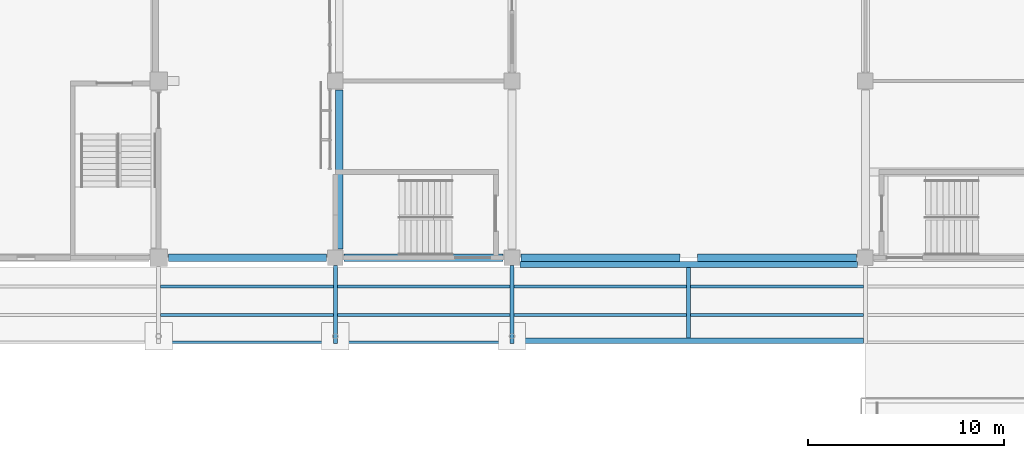
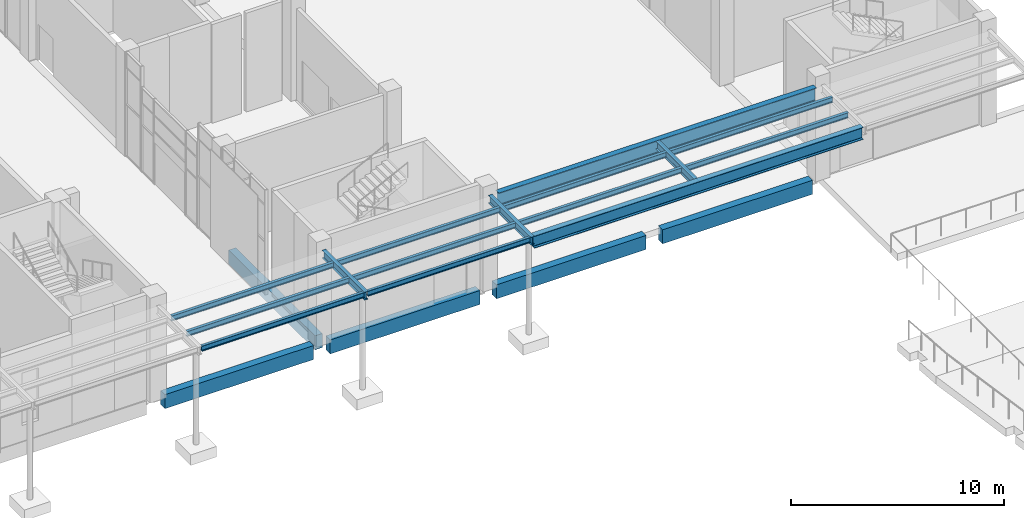
# One storey, part 14 of 86: 20 beams.
"""IFC4 building model written with IfcOpenShell, lengths in metres."""

from ifc_helpers import new_model, si_unit, direction, frame, origin, origin_2d, place, context, subcontext, project, spatial, rectangle, i_section, extrude, material, material_profile, profile_set, type_object, element, save


model = new_model("IFC4")

# Units and contexts
model_context = context("Model", 3, precision=1e-05, world=origin(), true_north=direction((0.0, 1.0)))
body_context = subcontext(model_context, "Body", "Model", "MODEL_VIEW")
ifc_project = project(units=[si_unit("LENGTHUNIT", "METRE"), si_unit("AREAUNIT", "SQUARE_METRE"), si_unit("VOLUMEUNIT", "CUBIC_METRE"), si_unit("PLANEANGLEUNIT", "RADIAN"), si_unit("MASSUNIT", "GRAM", prefix="KILO")], contexts=[model_context])

# Site, building, storey
site_placement = place(None, origin())
site = spatial("IfcSite", under=ifc_project, at=site_placement, CompositionType="ELEMENT")
building_placement = place(site_placement, origin())
building = spatial("IfcBuilding", under=site, at=building_placement, Name="Guidao Yard Department Store", CompositionType="ELEMENT")
storey_placement = place(building_placement, origin())
storey = spatial("IfcBuildingStorey", under=building, at=storey_placement, Name="L00", CompositionType="ELEMENT", Elevation=0.0)

# Beams
ifc_material_1 = material(Name="Steel Q355B", Category="steel")
ifc_material_profile_1 = material_profile(ifc_material_1, i_section(OverallWidth=0.14990234375, OverallDepth=0.300048828125, WebThickness=0.006591796875, FlangeThickness=0.009033203125, FilletRadius=0.012939453125, at=origin_2d()), Name="HN 300x150x6.5x9")
ifc_profile_set_1 = profile_set([ifc_material_profile_1], Name="Steel Q355B")
beam_type_1 = type_object("IfcBeamType", Name="Canopy beam HN 300x150x6.5x9", PredefinedType="BEAM", material=ifc_profile_set_1)
beam_1_placement = place(storey_placement, frame((63.10009765625, 40.695068359375, 5.300048828125), z_axis=(1.0, 0.0, 0.0), x_axis=(0.0, 1.0, 0.0)))
element("IfcBeam", 1, at=beam_1_placement, inside=storey, type_object=beam_type_1, Name="Canopy edge beam EC-7", PredefinedType="BEAM", context=body_context, shape_type="SweptSolid", body=[
    extrude(i_section(OverallWidth=0.14990234375, OverallDepth=0.300048828125, WebThickness=0.006591796875, FlangeThickness=0.009033203125, FilletRadius=0.012939453125, at=origin_2d()), origin(), (0.0, 0.0, 1.0), 8.7998046875),
])
for number, where, z_axis, x_axis, name in (
    (2, (63.10009765625, 43.5400390625, 5.300048828125), (1.0, 0.0, 0.0), (0.0, 1.0, 0.0), "Canopy joist EC-7.1"),
    (3, (63.10009765625, 42.080078125, 5.300048828125), (1.0, 0.0, 0.0), (0.0, 1.0, 0.0), "Canopy joist EC-7.2"),
):
    element("IfcBeam", number, at=place(storey_placement, frame(where, z_axis=z_axis, x_axis=x_axis)), inside=storey, type_object=beam_type_1, Name=name, PredefinedType="JOIST", context=body_context, shape_type="SweptSolid", body=[
        extrude(i_section(OverallWidth=0.14990234375, OverallDepth=0.300048828125, WebThickness=0.006591796875, FlangeThickness=0.009033203125, FilletRadius=0.012939453125, at=origin_2d()), origin(), (0.0, 0.0, 1.0), 8.7998046875),
    ])
beam_2_placement = place(storey_placement, frame((72.10009765625, 40.695068359375, 5.300048828125), z_axis=(1.0, 0.0, 0.0), x_axis=(0.0, 1.0, 0.0)))
element("IfcBeam", 4, at=beam_2_placement, inside=storey, type_object=beam_type_1, Name="Canopy edge beam EC-8", PredefinedType="BEAM", context=body_context, shape_type="SweptSolid", body=[
    extrude(i_section(OverallWidth=0.14990234375, OverallDepth=0.300048828125, WebThickness=0.006591796875, FlangeThickness=0.009033203125, FilletRadius=0.012939453125, at=origin_2d()), origin(), (0.0, 0.0, 1.0), 8.7998046875),
])
for number, where, z_axis, x_axis, name in (
    (5, (72.10009765625, 43.5400390625, 5.300048828125), (1.0, 0.0, 0.0), (0.0, 1.0, 0.0), "Canopy joist EC-8.1"),
    (6, (72.10009765625, 42.080078125, 5.300048828125), (1.0, 0.0, 0.0), (0.0, 1.0, 0.0), "Canopy joist EC-8.2"),
    (7, (81.10009765625, 43.5400390625, 5.300048828125), (1.0, 0.0, 0.0), (0.0, 1.0, 0.0), "Canopy joist EC-9.1"),
    (8, (81.10009765625, 42.080078125, 5.300048828125), (1.0, 0.0, 0.0), (0.0, 1.0, 0.0), "Canopy joist EC-9.2"),
    (9, (90.10009765625, 43.5400390625, 5.300048828125), (1.0, 0.0, 0.0), (0.0, 1.0, 0.0), "Canopy joist EC-10.1"),
    (10, (90.10009765625, 42.080078125, 5.300048828125), (1.0, 0.0, 0.0), (0.0, 1.0, 0.0), "Canopy joist EC-10.2"),
):
    element("IfcBeam", number, at=place(storey_placement, frame(where, z_axis=z_axis, x_axis=x_axis)), inside=storey, type_object=beam_type_1, Name=name, PredefinedType="JOIST", context=body_context, shape_type="SweptSolid", body=[
        extrude(i_section(OverallWidth=0.14990234375, OverallDepth=0.300048828125, WebThickness=0.006591796875, FlangeThickness=0.009033203125, FilletRadius=0.012939453125, at=origin_2d()), origin(), (0.0, 0.0, 1.0), 8.7998046875),
    ])
ifc_material_2 = material(Name="Steel Q355B", Category="steel")
ifc_material_profile_2 = material_profile(ifc_material_2, i_section(OverallWidth=0.300048828125, OverallDepth=0.699951171875, WebThickness=0.012939453125, FlangeThickness=0.02392578125, FilletRadius=0.01806640625, at=origin_2d()), Name="HN 700x300x13x24")
ifc_profile_set_2 = profile_set([ifc_material_profile_2], Name="Steel Q355B")
beam_type_2 = type_object("IfcBeamType", Name="Canopy fascia girder HN 700x300x13x24", PredefinedType="BEAM", material=ifc_profile_set_2)
beam_3_placement = place(storey_placement, frame((81.10009765625, 40.77001953125, 5.10009765625), z_axis=(1.0, 0.0, 0.0), x_axis=(0.0, 1.0, 0.0)))
element("IfcBeam", 11, at=beam_3_placement, inside=storey, type_object=beam_type_2, Name="Canopy fascia girder EC-9", PredefinedType="BEAM", context=body_context, shape_type="SweptSolid", body=[
    extrude(i_section(OverallWidth=0.300048828125, OverallDepth=0.699951171875, WebThickness=0.012939453125, FlangeThickness=0.02392578125, FilletRadius=0.01806640625, at=origin_2d()), origin(), (0.0, 0.0, 1.0), 17.7998046875),
])
ifc_material_3 = material(Name="Concrete C40", Category="concrete")
ifc_material_profile_3 = material_profile(ifc_material_3, rectangle(XDim=0.39990234375, YDim=0.800048828125, at=origin_2d()), Name="Edge beam 400 x 800 C40")
ifc_profile_set_3 = profile_set([ifc_material_profile_3], Name="Concrete C40")
beam_type_3 = type_object("IfcBeamType", Name="Edge beam 400 x 800 C40", PredefinedType="BEAM", material=ifc_profile_set_3)
beam_4_placement = place(storey_placement, frame((72.199951171875, 45.449951171875, -0.39990234375), z_axis=(0.0, 1.0, 0.0), x_axis=(-1.0, 0.0, 0.0)))
element("IfcBeam", 12, at=beam_4_placement, inside=storey, type_object=beam_type_3, Name="Beam EB35", PredefinedType="BEAM", context=body_context, shape_type="SweptSolid", body=[
    extrude(rectangle(XDim=0.39990234375, YDim=0.800048828125, at=origin_2d()), origin(), (0.0, 0.0, 1.0), 8.10009765625),
])
ifc_material_4 = material(Name="Steel Q355B", Category="steel")
ifc_material_profile_4 = material_profile(ifc_material_4, i_section(OverallWidth=0.199951171875, OverallDepth=0.449951171875, WebThickness=0.009033203125, FlangeThickness=0.013916015625, FilletRadius=0.012939453125, at=origin_2d()), Name="HN 450x200x9x14")
ifc_profile_set_4 = profile_set([ifc_material_profile_4], Name="Steel Q355B")
beam_type_4 = type_object("IfcBeamType", Name="HN 450x200x9x14", PredefinedType="BEAM", material=ifc_profile_set_4)
for number, where, z_axis, x_axis, name in (
    (13, (72.0, 40.6201171875, 5.22509765625), (0.0, 1.0, 0.0), (-1.0, 0.0, 0.0), "Canopy beam EC-8"),
    (14, (81.0, 40.6201171875, 5.22509765625), (0.0, 1.0, 0.0), (-1.0, 0.0, 0.0), "Canopy beam EC-9"),
):
    element("IfcBeam", number, at=place(storey_placement, frame(where, z_axis=z_axis, x_axis=x_axis)), inside=storey, type_object=beam_type_4, Name=name, PredefinedType="BEAM", context=body_context, shape_type="SweptSolid", body=[
        extrude(i_section(OverallWidth=0.199951171875, OverallDepth=0.449951171875, WebThickness=0.009033203125, FlangeThickness=0.013916015625, FilletRadius=0.012939453125, at=origin_2d()), origin(), (0.0, 0.0, 1.0), 3.97998046875),
    ])
beam_5_placement = place(storey_placement, frame((90.0, 40.919921875, 5.22509765625), z_axis=(0.0, 1.0, 0.0), x_axis=(-1.0, 0.0, 0.0)))
element("IfcBeam", 15, at=beam_5_placement, inside=storey, type_object=beam_type_4, Name="Canopy beam EC-10", PredefinedType="BEAM", context=body_context, shape_type="SweptSolid", body=[
    extrude(i_section(OverallWidth=0.199951171875, OverallDepth=0.449951171875, WebThickness=0.009033203125, FlangeThickness=0.013916015625, FilletRadius=0.012939453125, at=origin_2d()), origin(), (0.0, 0.0, 1.0), 3.580078125),
])
ifc_material_5 = material(Name="Steel Q355B", Category="steel")
ifc_material_profile_5 = material_profile(ifc_material_5, i_section(OverallWidth=0.300048828125, OverallDepth=0.800048828125, WebThickness=0.013916015625, FlangeThickness=0.02587890625, FilletRadius=0.01806640625, at=origin_2d()), Name="HN 800x300x14x26")
ifc_profile_set_5 = profile_set([ifc_material_profile_5], Name="Steel Q355B")
beam_type_5 = type_object("IfcBeamType", Name="HN 800x300x14x26", PredefinedType="BEAM", material=ifc_profile_set_5)
beam_6_placement = place(storey_placement, frame((81.39990234375, 44.64990234375, 5.050048828125), z_axis=(1.0, 0.0, 0.0), x_axis=(0.0, 1.0, 0.0)))
element("IfcBeam", 16, at=beam_6_placement, inside=storey, type_object=beam_type_5, Name="Canopy lintel EC-1", PredefinedType="BEAM", context=body_context, shape_type="SweptSolid", body=[
    extrude(i_section(OverallWidth=0.300048828125, OverallDepth=0.800048828125, WebThickness=0.013916015625, FlangeThickness=0.02587890625, FilletRadius=0.01806640625, at=origin_2d()), origin(), (0.0, 0.0, 1.0), 17.2001953125),
])
ifc_material_6 = material(Name="Concrete C40", Category="concrete")
ifc_material_profile_6 = material_profile(ifc_material_6, rectangle(XDim=0.39990234375, YDim=0.800048828125, at=origin_2d()), Name="Spandrel beam 400 x 800 C40")
ifc_profile_set_6 = profile_set([ifc_material_profile_6], Name="Concrete C40")
beam_type_6 = type_object("IfcBeamType", Name="Spandrel beam 400 x 800 C40", PredefinedType="SPANDREL", material=ifc_profile_set_6)
for number, where, z_axis, x_axis, name in (
    (17, (72.449951171875, 45.0, -0.39990234375), (1.0, 0.0, 0.0), (0.0, 1.0, 0.0), "Beam EB51"),
    (18, (81.449951171875, 45.0, -0.39990234375), (1.0, 0.0, 0.0), (0.0, 1.0, 0.0), "Beam EB52"),
    (19, (90.449951171875, 45.0, -0.39990234375), (1.0, 0.0, 0.0), (0.0, 1.0, 0.0), "Beam EB53"),
):
    element("IfcBeam", number, at=place(storey_placement, frame(where, z_axis=z_axis, x_axis=x_axis)), inside=storey, type_object=beam_type_6, Name=name, PredefinedType="SPANDREL", context=body_context, shape_type="SweptSolid", body=[
        extrude(rectangle(XDim=0.39990234375, YDim=0.800048828125, at=origin_2d()), origin(), (0.0, 0.0, 1.0), 8.10009765625),
    ])
beam_7_placement = place(storey_placement, frame((63.5, 45.0, -0.39990234375), z_axis=(1.0, 0.0, 0.0), x_axis=(0.0, 1.0, 0.0)))
element("IfcBeam", 20, at=beam_7_placement, inside=storey, type_object=beam_type_6, Name="Beam EB69", PredefinedType="SPANDREL", context=body_context, shape_type="SweptSolid", body=[
    extrude(rectangle(XDim=0.39990234375, YDim=0.800048828125, at=origin_2d()), origin(), (0.0, 0.0, 1.0), 8.050048828125),
])

save(model, "model.ifc")
